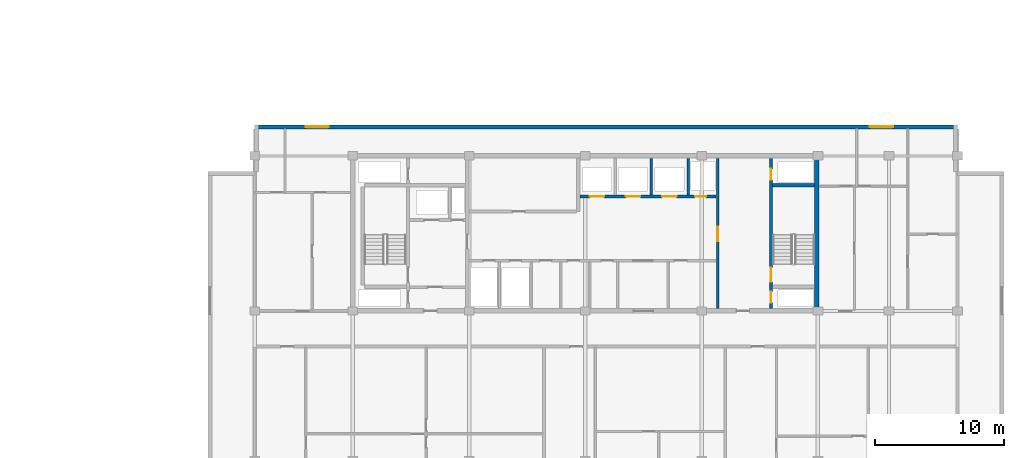
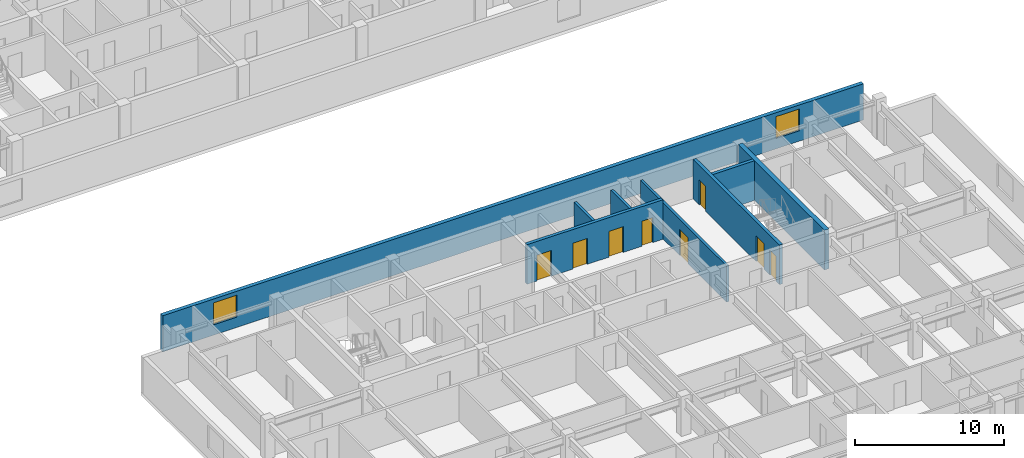
# One storey, part 8 of 22: 8 doors, 8 walls, 2 windows, 10 openings.
"""IFC4 building model written with IfcOpenShell, lengths in metres."""

from ifc_helpers import new_model, si_unit, direction, frame, frame_2d, origin, place, context, subcontext, project, spatial, rectangle, extrude, material, layer, layer_set, type_object, element, fill, save


model = new_model("IFC4")

# Units and contexts
model_context = context("Model", 3, precision=1e-05, world=origin(), true_north=direction((0.0, 1.0)))
body_context = subcontext(model_context, "Body", "Model", "MODEL_VIEW")
ifc_project = project(units=[si_unit("LENGTHUNIT", "METRE"), si_unit("AREAUNIT", "SQUARE_METRE"), si_unit("VOLUMEUNIT", "CUBIC_METRE"), si_unit("PLANEANGLEUNIT", "RADIAN"), si_unit("MASSUNIT", "GRAM", prefix="KILO")], contexts=[model_context])

# Site, building, storey
site_placement = place(None, origin())
site = spatial("IfcSite", under=ifc_project, at=site_placement, CompositionType="ELEMENT")
building_placement = place(site_placement, origin())
building = spatial("IfcBuilding", under=site, at=building_placement, Name="Korimba Cascade Residences", CompositionType="ELEMENT")
storey_placement = place(building_placement, frame((0.0, 0.0, 197.85009765625)))
storey = spatial("IfcBuildingStorey", under=building, at=storey_placement, Name="L57", CompositionType="ELEMENT", Elevation=197.85009765625)

# Wall, openings, windows
ifc_material_1 = material(Name="Precast concrete C40/50", Category="concrete")
ifc_layer_1 = layer(ifc_material_1, 0.300048828125)
ifc_layer_set_1 = layer_set([ifc_layer_1], Name="Precast concrete C40/50")
wall_type_1 = type_object("IfcWallType", Name="EW-STONE-300", PredefinedType="STANDARD", material=ifc_layer_set_1)
wall_1_placement = place(storey_placement, frame((128.89990234375, 32.64990234375, 0.0), z_axis=(0.0, 0.0, 1.0), x_axis=(-1.0, 0.0, 0.0)))
wall_1 = element("IfcWall", 1, at=wall_1_placement, inside=storey, type_object=wall_type_1, Name="L57 T2 Perimeter Stone Wall E06", PredefinedType="STANDARD", context=body_context, shape_type="SweptSolid", body=[
    extrude(rectangle(XDim=54.39990234375, YDim=0.300048828125, at=frame_2d((27.199951171875, 0.0))), origin(), (0.0, 0.0, 1.0), 2.969970703125),
])
opening_1_placement = place(wall_1_placement, frame((48.64990234375, 0.0, 0.85009765625)))
opening_1 = element("IfcOpeningElement", 2, at=opening_1_placement, cuts=wall_1, Name="Opening W-02", PredefinedType="OPENING", context=body_context, shape_type="SweptSolid", body=[
    extrude(rectangle(XDim=1.800048828125, YDim=1.800048828125, at=frame_2d((0.89990234375, 0.89990234375))), frame((0.0, 0.16015625, 0.0), z_axis=(0.0, -1.0, 0.0), x_axis=(1.0, 0.0, 0.0)), (0.0, 0.0, 1.0), 0.320068359375),
])
opening_2_placement = place(wall_1_placement, frame((4.97509765625, 0.0, 0.85009765625)))
opening_2 = element("IfcOpeningElement", 3, at=opening_2_placement, cuts=wall_1, Name="Opening W-02", PredefinedType="OPENING", context=body_context, shape_type="SweptSolid", body=[
    extrude(rectangle(XDim=1.800048828125, YDim=1.800048828125, at=frame_2d((0.89990234375, 0.89990234375))), frame((0.0, 0.16015625, 0.0), z_axis=(0.0, -1.0, 0.0), x_axis=(1.0, 0.0, 0.0)), (0.0, 0.0, 1.0), 0.320068359375),
])
ifc_material_2 = material(Name="Double-Glazed Aluminium Window", Category="aluminium")
window_type = type_object("IfcWindowType", Name="WIN-BED-1800", PartitioningType="SINGLE_PANEL", PredefinedType="WINDOW", material=ifc_material_2)
window_1_placement = place(opening_1_placement, origin())
window_1 = element("IfcWindow", 4, at=window_1_placement, inside=storey, type_object=window_type, Name="L57 T2 North Corner Bedroom Window 1", OverallHeight=1.800048828125, OverallWidth=1.800048828125, PartitioningType="SINGLE_PANEL", PredefinedType="WINDOW", context=body_context, shape_type="SweptSolid", body=[
    extrude(rectangle(XDim=1.800048828125, YDim=1.800048828125, at=frame_2d((0.89990234375, 0.89990234375))), frame((0.0, 0.030029296875, 0.0), z_axis=(0.0, -1.0, 0.0), x_axis=(1.0, 0.0, 0.0)), (0.0, 0.0, 1.0), 0.06005859375),
])
fill(opening_1, window_1)
window_2_placement = place(opening_2_placement, origin())
window_2 = element("IfcWindow", 5, at=window_2_placement, inside=storey, type_object=window_type, Name="L57 T2 North Corner Bedroom Window 2", OverallHeight=1.800048828125, OverallWidth=1.800048828125, PartitioningType="SINGLE_PANEL", PredefinedType="WINDOW", context=body_context, shape_type="SweptSolid", body=[
    extrude(rectangle(XDim=1.800048828125, YDim=1.800048828125, at=frame_2d((0.89990234375, 0.89990234375))), frame((0.0, 0.030029296875, 0.0), z_axis=(0.0, -1.0, 0.0), x_axis=(1.0, 0.0, 0.0)), (0.0, 0.0, 1.0), 0.06005859375),
])
fill(opening_2, window_2)

# Walls
ifc_material_3 = material(Name="Concrete C65/80", Category="concrete")
ifc_layer_2 = layer(ifc_material_3, 0.35009765625)
ifc_layer_set_2 = layer_set([ifc_layer_2], Name="Concrete C65/80")
wall_type_2 = type_object("IfcWallType", Name="WAL-CORE-350", PredefinedType="SHEAR", material=ifc_layer_set_2)
wall_2_placement = place(storey_placement, frame((118.014892578125, 18.574951171875, 0.0), z_axis=(0.0, 0.0, 1.0), x_axis=(0.0, 1.0, 0.0)))
element("IfcWall", 6, at=wall_2_placement, inside=storey, type_object=wall_type_2, Name="L57 Core Shear Wall CW-L57-T2-E", PredefinedType="SHEAR", context=body_context, shape_type="SweptSolid", body=[
    extrude(rectangle(XDim=11.650146484375, YDim=0.35009765625, at=frame_2d((5.8251953125, 0.0))), origin(), (0.0, 0.0, 1.0), 3.25),
])
ifc_material_4 = material(Name="Concrete C40/50", Category="concrete")
ifc_layer_3 = layer(ifc_material_4, 0.199951171875)
ifc_layer_set_3 = layer_set([ifc_layer_3], Name="Concrete C40/50")
wall_type_3 = type_object("IfcWallType", Name="WAL-PART-200", PredefinedType="PARTITIONING", material=ifc_layer_set_3)
for number, where, z_axis, x_axis, name in (
    (7, (105.199951171875, 27.3798828125, 0.0), (0.0, 0.0, 1.0), (0.0, 1.0, 0.0), "L57 Partition Wall CW-L57-T2-B2D2"),
    (8, (108.050048828125, 27.3798828125, 0.0), (0.0, 0.0, 1.0), (0.0, 1.0, 0.0), "L57 Partition Wall CW-L57-T2-B2D3"),
):
    element("IfcWall", number, at=place(storey_placement, frame(where, z_axis=z_axis, x_axis=x_axis)), inside=storey, type_object=wall_type_3, Name=name, PredefinedType="PARTITIONING", context=body_context, shape_type="SweptSolid", body=[
        extrude(rectangle(XDim=2.820068359375, YDim=0.199951171875, at=frame_2d((1.41015625, 0.0))), origin(), (0.0, 0.0, 1.0), 2.969970703125),
    ])

# Wall, opening, door
wall_3_placement = place(storey_placement, frame((110.35009765625, 18.60009765625, 0.0), z_axis=(0.0, 0.0, 1.0), x_axis=(0.0, 1.0, 0.0)))
wall_3 = element("IfcWall", 9, at=wall_3_placement, inside=storey, type_object=wall_type_3, Name="L57 Partition Wall CW-L57-T2-LLEV", PredefinedType="PARTITIONING", context=body_context, shape_type="SweptSolid", body=[
    extrude(rectangle(XDim=11.599853515625, YDim=0.199951171875, at=frame_2d((5.7998046875, 0.0))), origin(), (0.0, 0.0, 1.0), 2.969970703125),
])
opening_3_placement = place(wall_3_placement, frame((5.199951171875, 0.0, 0.0)))
opening_3 = element("IfcOpeningElement", 10, at=opening_3_placement, cuts=wall_3, Name="Opening D-FD6", PredefinedType="OPENING", context=body_context, shape_type="SweptSolid", body=[
    extrude(rectangle(XDim=1.10009765625, YDim=2.14990234375, at=frame_2d((0.550048828125, 1.074951171875))), frame((0.0, 0.10986328125, 0.0), z_axis=(0.0, -1.0, 0.0), x_axis=(1.0, 0.0, 0.0)), (0.0, 0.0, 1.0), 0.219970703125),
])
ifc_material_5 = material(Name="Fire-Rated Timber Stair Lobby Door", Category="wood")
door_type_1 = type_object("IfcDoorType", Name="DR-FD90-1100", OperationType="NOTDEFINED", PredefinedType="DOOR", material=ifc_material_5)
door_1_placement = place(opening_3_placement, origin())
door_1 = element("IfcDoor", 11, at=door_1_placement, inside=storey, type_object=door_type_1, Name="L57 T2 Lift Lobby to East Stair Lobby Door", OperationType="SINGLE_SWING_RIGHT", OverallHeight=2.14990234375, OverallWidth=1.10009765625, PredefinedType="DOOR", context=body_context, shape_type="SweptSolid", body=[
    extrude(rectangle(XDim=1.10009765625, YDim=2.14990234375, at=frame_2d((0.550048828125, 1.074951171875))), frame((0.0, 0.02490234375, 0.0), z_axis=(0.0, -1.0, 0.0), x_axis=(1.0, 0.0, 0.0)), (0.0, 0.0, 1.0), 0.050048828125),
])
fill(opening_3, door_1)

# Wall, openings, doors
ifc_material_6 = material(Name="Concrete C50/60", Category="concrete")
ifc_layer_4 = layer(ifc_material_6, 0.25)
ifc_layer_set_4 = layer_set([ifc_layer_4], Name="Concrete C50/60")
wall_type_4 = type_object("IfcWallType", Name="WAL-SHAFT-250", PredefinedType="SHEAR", material=ifc_layer_set_4)
wall_4_placement = place(storey_placement, frame((99.679931640625, 27.25, 0.0), z_axis=(0.0, 0.0, 1.0), x_axis=(1.0, 0.0, 0.0)))
wall_4 = element("IfcWall", 12, at=wall_4_placement, inside=storey, type_object=wall_type_4, Name="L57 Core Shear Wall CW-L57-T2-B2S", PredefinedType="SHEAR", context=body_context, shape_type="SweptSolid", body=[
    extrude(rectangle(XDim=10.5400390625, YDim=0.25, at=frame_2d((5.27001953125, 0.0))), origin(), (0.0, 0.0, 1.0), 3.25),
])
opening_4_placement = place(wall_4_placement, frame((0.760009765625, 0.0, 0.0)))
opening_4 = element("IfcOpeningElement", 13, at=opening_4_placement, cuts=wall_4, Name="Opening LD-01", PredefinedType="OPENING", context=body_context, shape_type="SweptSolid", body=[
    extrude(rectangle(XDim=1.1201171875, YDim=2.1201171875, at=frame_2d((0.56005859375, 1.06005859375))), frame((0.0, 0.135009765625, 0.0), z_axis=(0.0, -1.0, 0.0), x_axis=(1.0, 0.0, 0.0)), (0.0, 0.0, 1.0), 0.27001953125),
])
opening_5_placement = place(wall_4_placement, frame((3.56005859375, 0.0, 0.0)))
opening_5 = element("IfcOpeningElement", 14, at=opening_5_placement, cuts=wall_4, Name="Opening LD-01", PredefinedType="OPENING", context=body_context, shape_type="SweptSolid", body=[
    extrude(rectangle(XDim=1.1201171875, YDim=2.1201171875, at=frame_2d((0.56005859375, 1.06005859375))), frame((0.0, 0.135009765625, 0.0), z_axis=(0.0, -1.0, 0.0), x_axis=(1.0, 0.0, 0.0)), (0.0, 0.0, 1.0), 0.27001953125),
])
opening_6_placement = place(wall_4_placement, frame((6.360107421875, 0.0, 0.0)))
opening_6 = element("IfcOpeningElement", 15, at=opening_6_placement, cuts=wall_4, Name="Opening LD-01", PredefinedType="OPENING", context=body_context, shape_type="SweptSolid", body=[
    extrude(rectangle(XDim=1.1201171875, YDim=2.1201171875, at=frame_2d((0.56005859375, 1.06005859375))), frame((0.0, 0.135009765625, 0.0), z_axis=(0.0, -1.0, 0.0), x_axis=(1.0, 0.0, 0.0)), (0.0, 0.0, 1.0), 0.27001953125),
])
opening_7_placement = place(wall_4_placement, frame((8.919921875, 0.0, 0.0)))
opening_7 = element("IfcOpeningElement", 16, at=opening_7_placement, cuts=wall_4, Name="Opening D-RS1", PredefinedType="OPENING", context=body_context, shape_type="SweptSolid", body=[
    extrude(rectangle(XDim=0.85009765625, YDim=2.050048828125, at=frame_2d((0.425048828125, 1.02490234375))), frame((0.0, 0.135009765625, 0.0), z_axis=(0.0, -1.0, 0.0), x_axis=(1.0, 0.0, 0.0)), (0.0, 0.0, 1.0), 0.27001953125),
])
ifc_material_7 = material(Name="Fire-Rated Steel Riser Access Door", Category="steel")
door_type_2 = type_object("IfcDoorType", Name="DR-FD60-850", OperationType="NOTDEFINED", PredefinedType="DOOR", material=ifc_material_7)
door_2_placement = place(opening_7_placement, origin())
door_2 = element("IfcDoor", 17, at=door_2_placement, inside=storey, type_object=door_type_2, Name="L57 T2 Duct Door", OperationType="SINGLE_SWING_LEFT", OverallHeight=2.050048828125, OverallWidth=0.85009765625, PredefinedType="DOOR", context=body_context, shape_type="SweptSolid", body=[
    extrude(rectangle(XDim=0.85009765625, YDim=2.050048828125, at=frame_2d((0.425048828125, 1.02490234375))), frame((0.0, 0.02490234375, 0.0), z_axis=(0.0, -1.0, 0.0), x_axis=(1.0, 0.0, 0.0)), (0.0, 0.0, 1.0), 0.050048828125),
])
fill(opening_7, door_2)
ifc_material_8 = material(Name="Stainless Steel Lift Landing Sliding Door", Category="steel")
door_type_3 = type_object("IfcDoorType", Name="DR-LIFT-1100", OperationType="NOTDEFINED", PredefinedType="DOOR", material=ifc_material_8)
door_3_placement = place(opening_4_placement, origin())
door_3 = element("IfcDoor", 18, at=door_3_placement, inside=storey, type_object=door_type_3, Name="L57 Lift Landing Door PL-E4", OperationType="SLIDING_TO_RIGHT", OverallHeight=2.1201171875, OverallWidth=1.1201171875, PredefinedType="DOOR", context=body_context, shape_type="SweptSolid", body=[
    extrude(rectangle(XDim=1.1201171875, YDim=2.1201171875, at=frame_2d((0.56005859375, 1.06005859375))), frame((0.0, 0.02490234375, 0.0), z_axis=(0.0, -1.0, 0.0), x_axis=(1.0, 0.0, 0.0)), (0.0, 0.0, 1.0), 0.050048828125),
])
fill(opening_4, door_3)
door_4_placement = place(opening_5_placement, origin())
door_4 = element("IfcDoor", 19, at=door_4_placement, inside=storey, type_object=door_type_3, Name="L57 Lift Landing Door PL-E5", OperationType="SLIDING_TO_RIGHT", OverallHeight=2.1201171875, OverallWidth=1.1201171875, PredefinedType="DOOR", context=body_context, shape_type="SweptSolid", body=[
    extrude(rectangle(XDim=1.1201171875, YDim=2.1201171875, at=frame_2d((0.56005859375, 1.06005859375))), frame((0.0, 0.02490234375, 0.0), z_axis=(0.0, -1.0, 0.0), x_axis=(1.0, 0.0, 0.0)), (0.0, 0.0, 1.0), 0.050048828125),
])
fill(opening_5, door_4)
door_5_placement = place(opening_6_placement, origin())
door_5 = element("IfcDoor", 20, at=door_5_placement, inside=storey, type_object=door_type_3, Name="L57 Lift Landing Door PL-E6", OperationType="SLIDING_TO_RIGHT", OverallHeight=2.1201171875, OverallWidth=1.1201171875, PredefinedType="DOOR", context=body_context, shape_type="SweptSolid", body=[
    extrude(rectangle(XDim=1.1201171875, YDim=2.1201171875, at=frame_2d((0.56005859375, 1.06005859375))), frame((0.0, 0.02490234375, 0.0), z_axis=(0.0, -1.0, 0.0), x_axis=(1.0, 0.0, 0.0)), (0.0, 0.0, 1.0), 0.050048828125),
])
fill(opening_6, door_5)

wall_5_placement = place(storey_placement, frame((114.47509765625, 18.60009765625, 0.0), z_axis=(0.0, 0.0, 1.0), x_axis=(0.0, 1.0, 0.0)))
wall_5 = element("IfcWall", 21, at=wall_5_placement, inside=storey, type_object=wall_type_4, Name="L57 Core Shear Wall CW-L57-T2-STE2W", PredefinedType="SHEAR", context=body_context, shape_type="SweptSolid", body=[
    extrude(rectangle(XDim=11.599853515625, YDim=0.25, at=frame_2d((5.7998046875, 0.0))), origin(), (0.0, 0.0, 1.0), 3.25),
])
opening_8_placement = place(wall_5_placement, frame((0.449951171875, 0.0, 0.0)))
opening_8 = element("IfcOpeningElement", 22, at=opening_8_placement, cuts=wall_5, Name="Opening D-RS1", PredefinedType="OPENING", context=body_context, shape_type="SweptSolid", body=[
    extrude(rectangle(XDim=0.85009765625, YDim=2.050048828125, at=frame_2d((0.425048828125, 1.02490234375))), frame((0.0, 0.135009765625, 0.0), z_axis=(0.0, -1.0, 0.0), x_axis=(1.0, 0.0, 0.0)), (0.0, 0.0, 1.0), 0.27001953125),
])
opening_9_placement = place(wall_5_placement, frame((2.050048828125, 0.0, 0.0)))
opening_9 = element("IfcOpeningElement", 23, at=opening_9_placement, cuts=wall_5, Name="Opening D-FD1", PredefinedType="OPENING", context=body_context, shape_type="SweptSolid", body=[
    extrude(rectangle(XDim=1.10009765625, YDim=2.10009765625, at=frame_2d((0.550048828125, 1.050048828125))), frame((0.0, 0.135009765625, 0.0), z_axis=(0.0, -1.0, 0.0), x_axis=(1.0, 0.0, 0.0)), (0.0, 0.0, 1.0), 0.27001953125),
])
opening_10_placement = place(wall_5_placement, frame((9.949951171875, 0.0, 0.0)))
opening_10 = element("IfcOpeningElement", 24, at=opening_10_placement, cuts=wall_5, Name="Opening D-RS1", PredefinedType="OPENING", context=body_context, shape_type="SweptSolid", body=[
    extrude(rectangle(XDim=0.85009765625, YDim=2.050048828125, at=frame_2d((0.425048828125, 1.02490234375))), frame((0.0, 0.135009765625, 0.0), z_axis=(0.0, -1.0, 0.0), x_axis=(1.0, 0.0, 0.0)), (0.0, 0.0, 1.0), 0.27001953125),
])
ifc_material_9 = material(Name="Fire-Rated Steel Core Door", Category="steel")
door_type_4 = type_object("IfcDoorType", Name="DR-FD120-1100", OperationType="NOTDEFINED", PredefinedType="DOOR", material=ifc_material_9)
door_6_placement = place(opening_9_placement, origin())
door_6 = element("IfcDoor", 25, at=door_6_placement, inside=storey, type_object=door_type_4, Name="L57 Fire Stair ST-E2 Door", OperationType="SINGLE_SWING_RIGHT", OverallHeight=2.10009765625, OverallWidth=1.10009765625, PredefinedType="DOOR", context=body_context, shape_type="SweptSolid", body=[
    extrude(rectangle(XDim=1.10009765625, YDim=2.10009765625, at=frame_2d((0.550048828125, 1.050048828125))), frame((0.0, 0.02490234375, 0.0), z_axis=(0.0, -1.0, 0.0), x_axis=(1.0, 0.0, 0.0)), (0.0, 0.0, 1.0), 0.050048828125),
])
fill(opening_9, door_6)
door_7_placement = place(opening_8_placement, origin())
door_7 = element("IfcDoor", 26, at=door_7_placement, inside=storey, type_object=door_type_2, Name="L57 T2 East Hydrant Door", OperationType="SINGLE_SWING_LEFT", OverallHeight=2.050048828125, OverallWidth=0.85009765625, PredefinedType="DOOR", context=body_context, shape_type="SweptSolid", body=[
    extrude(rectangle(XDim=0.85009765625, YDim=2.050048828125, at=frame_2d((0.425048828125, 1.02490234375))), frame((0.0, 0.02490234375, 0.0), z_axis=(0.0, -1.0, 0.0), x_axis=(1.0, 0.0, 0.0)), (0.0, 0.0, 1.0), 0.050048828125),
])
fill(opening_8, door_7)
door_8_placement = place(opening_10_placement, origin())
door_8 = element("IfcDoor", 27, at=door_8_placement, inside=storey, type_object=door_type_2, Name="L57 T2 East Riser Door", OperationType="SINGLE_SWING_LEFT", OverallHeight=2.050048828125, OverallWidth=0.85009765625, PredefinedType="DOOR", context=body_context, shape_type="SweptSolid", body=[
    extrude(rectangle(XDim=0.85009765625, YDim=2.050048828125, at=frame_2d((0.425048828125, 1.02490234375))), frame((0.0, 0.02490234375, 0.0), z_axis=(0.0, -1.0, 0.0), x_axis=(1.0, 0.0, 0.0)), (0.0, 0.0, 1.0), 0.050048828125),
])
fill(opening_10, door_8)

# Wall
wall_6_placement = place(storey_placement, frame((114.60009765625, 28.125, 0.0), z_axis=(0.0, 0.0, 1.0), x_axis=(1.0, 0.0, 0.0)))
element("IfcWall", 28, at=wall_6_placement, inside=storey, type_object=wall_type_4, Name="L57 Core Shear Wall CW-L57-T2-STE2N", PredefinedType="SHEAR", context=body_context, shape_type="SweptSolid", body=[
    extrude(rectangle(XDim=3.239990234375, YDim=0.25, at=frame_2d((1.6201171875, 0.0))), origin(), (0.0, 0.0, 1.0), 3.25),
])

save(model, "model.ifc")
